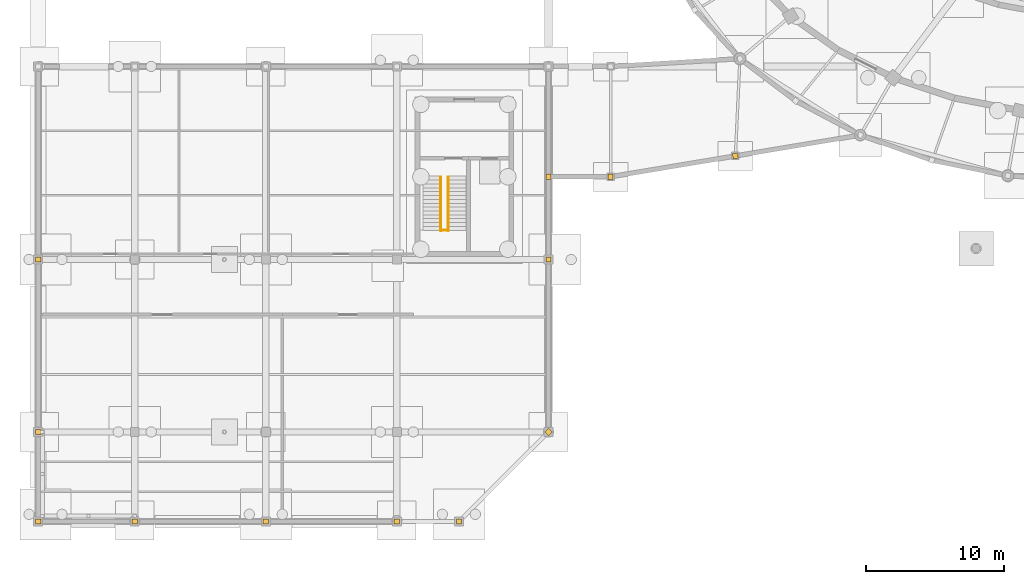
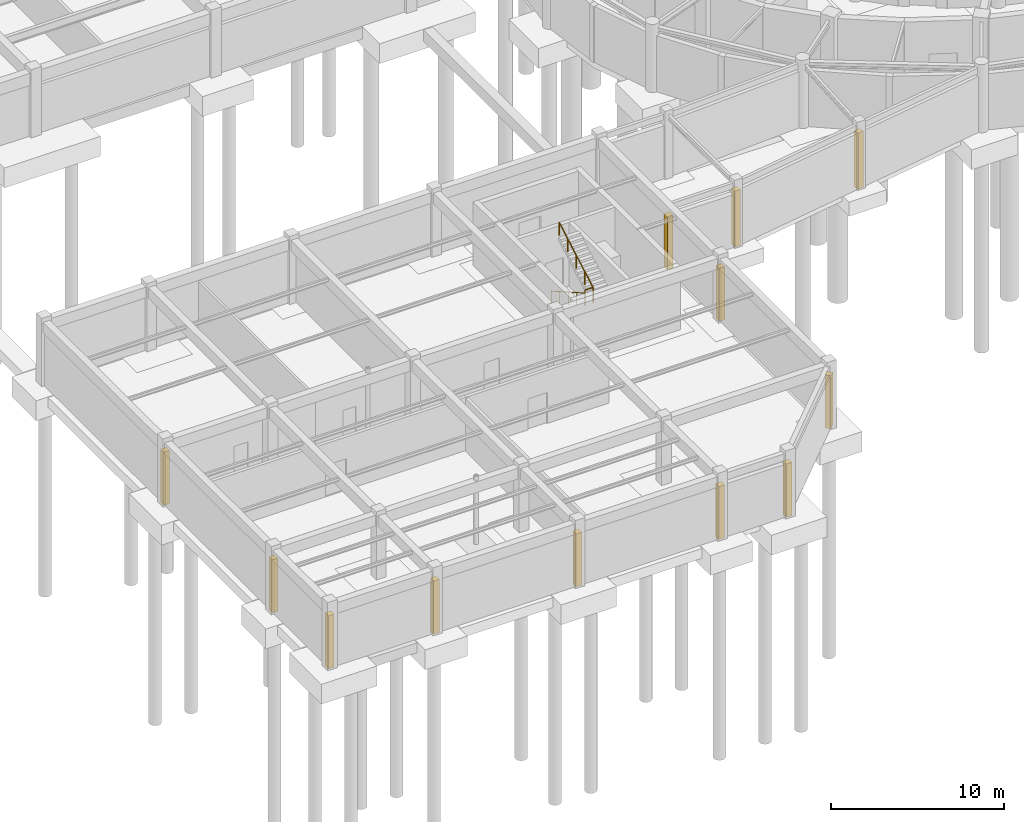
# One storey, part 33 of 42: 12 coverings, 3 railings.
"""IFC4 building model written with IfcOpenShell, lengths in metres."""

import ifcopenshell
import ifcopenshell.guid

model = None  # the IFC model being written
_history = None  # IfcOwnerHistory: only IFC2X3 demands one
_inside = {}  # id of a spatial element -> (the spatial element, [elements in it])
_under = {}  # id of a project, library or spatial element -> (it, [spatial elements below it])
_declared = {}  # id of a project -> (the project, [libraries it declares])
_typed = {}  # id of a type object -> (the type object, [elements of that type])
_made_of = {}  # id of a material, layer set ... -> (it, [elements and type objects made of it])


def new_model(schema):
    """Start an empty IFC model of exactly this schema.

    Asked for "IFC4X3", IfcOpenShell would pick the latest addendum, in which some entities
    have other attributes; the version numbers below select the first issue.
    IFC2X3 requires an IfcOwnerHistory on every rooted entity: one is made here for all.
    """
    global model, _history
    if schema == "IFC4X3":
        model = ifcopenshell.file(schema_version=(4, 3, 0, 0))
    else:
        model = ifcopenshell.file(schema=schema)
    _inside.clear()
    _under.clear()
    _declared.clear()
    _typed.clear()
    _made_of.clear()
    _history = None
    if model.schema == "IFC2X3":
        org = make("IfcOrganization", Name="unknown")
        user = make(
            "IfcPersonAndOrganization",
            ThePerson=make("IfcPerson", FamilyName="unknown"),
            TheOrganization=org,
        )
        app = make(
            "IfcApplication",
            ApplicationDeveloper=org,
            Version="unknown",
            ApplicationFullName="unknown",
            ApplicationIdentifier="unknown",
        )
        _history = make(
            "IfcOwnerHistory",
            OwningUser=user,
            OwningApplication=app,
            ChangeAction="ADDED",
            CreationDate=0,
        )
    return model


def make(cls, **values):
    """One entity of the class cls with the attributes given. An attribute that is None is left unset."""
    return model.create_entity(
        cls, **{name: value for name, value in values.items() if value is not None}
    )


def rooted(cls, **values):
    """An entity with a GlobalId (a new one), such as an element, a storey or a relation."""
    return make(cls, GlobalId=ifcopenshell.guid.new(), OwnerHistory=_history, **values)


def si_unit(unit_type, name, prefix=None):
    """IfcSIUnit, for example si_unit("LENGTHUNIT", "METRE", prefix="MILLI")."""
    return make("IfcSIUnit", UnitType=unit_type, Prefix=prefix, Name=name)


def assignment(units):
    """IfcUnitAssignment: the units of a project."""
    return None if units is None else make("IfcUnitAssignment", Units=units)


def point(xyz):
    """IfcCartesianPoint."""
    return None if xyz is None else make("IfcCartesianPoint", Coordinates=xyz)


def direction(xyz):
    """IfcDirection."""
    return None if xyz is None else make("IfcDirection", DirectionRatios=xyz)


def frame(location, z_axis=None, x_axis=None):
    """IfcAxis2Placement3D, a coordinate frame: its origin and axes. An axis left out is left unset."""
    return make(
        "IfcAxis2Placement3D",
        Location=point(location),
        Axis=direction(z_axis),
        RefDirection=direction(x_axis),
    )


def frame_2d(location, x_axis=None):
    """IfcAxis2Placement2D, a coordinate frame in the plane: its origin and x axis."""
    return make(
        "IfcAxis2Placement2D", Location=point(location), RefDirection=direction(x_axis)
    )


def origin():
    """The frame at (0, 0, 0) with its axes left unset."""
    return frame((0.0, 0.0, 0.0))


def origin_2d():
    """The frame at (0, 0) in the plane with its x axis left unset."""
    return frame_2d((0.0, 0.0))


def place(relative_to, where):
    """IfcLocalPlacement: puts the frame where relative to a parent placement (None: the world)."""
    return make(
        "IfcLocalPlacement", PlacementRelTo=relative_to, RelativePlacement=where
    )


def context(
    kind, dimensions, precision=None, world=None, true_north=None, identifier=None
):
    """IfcGeometricRepresentationContext, for example the 3D "Model" context."""
    return make(
        "IfcGeometricRepresentationContext",
        ContextIdentifier=identifier,
        ContextType=kind,
        CoordinateSpaceDimension=dimensions,
        Precision=precision,
        WorldCoordinateSystem=world,
        TrueNorth=true_north,
    )


def subcontext(parent, identifier, kind, view, scale=None):
    """IfcGeometricRepresentationSubContext, for example "Body" below "Model"."""
    return make(
        "IfcGeometricRepresentationSubContext",
        ContextIdentifier=identifier,
        ContextType=kind,
        ParentContext=parent,
        TargetScale=scale,
        TargetView=view,
    )


def project(units=None, contexts=None):
    """IfcProject with its units and contexts."""
    return rooted(
        "IfcProject",
        Name="project",
        RepresentationContexts=contexts,
        UnitsInContext=assignment(units),
    )


def spatial(cls, under=None, at=None, **own):
    """A site, building, storey or space (cls), placed at a placement, below another one or the project."""
    s = rooted(cls, ObjectPlacement=at, **own)
    if under is not None:
        _under.setdefault(under.id(), (under, []))[1].append(s)
    return s


def profile(cls, at=None, kind="AREA", **sizes):
    """A parametric profile (cls). Its sizes go by their IFC names, for example OverallWidth=200.0."""
    return make(cls, ProfileType=kind, Position=at, **sizes)


def rectangle(**sizes):
    """IfcRectangleProfileDef."""
    return profile("IfcRectangleProfileDef", **sizes)


def circle(**sizes):
    """IfcCircleProfileDef."""
    return profile("IfcCircleProfileDef", **sizes)


def extrude(swept, where, along, depth):
    """IfcExtrudedAreaSolid: the profile swept, set in the frame where, extruded along a direction by depth."""
    return make(
        "IfcExtrudedAreaSolid",
        SweptArea=swept,
        Position=where,
        ExtrudedDirection=direction(along),
        Depth=depth,
    )


def shape(context_of_items, identifier, shape_type, items):
    """IfcShapeRepresentation: the items that make up one representation, for example the "Body"."""
    return make(
        "IfcShapeRepresentation",
        ContextOfItems=context_of_items,
        RepresentationIdentifier=identifier,
        RepresentationType=shape_type,
        Items=items,
    )


def material(Name=None, Category=None):
    """IfcMaterial."""
    return make("IfcMaterial", Name=Name, Category=Category)


def layer(
    of_material, thickness, ventilated=None, Name=None, Category=None, Priority=None
):
    """IfcMaterialLayer: one layer of a wall or slab, of a material (None: an air gap)."""
    return make(
        "IfcMaterialLayer",
        Material=of_material,
        LayerThickness=thickness,
        IsVentilated=ventilated,
        Name=Name,
        Category=Category,
        Priority=Priority,
    )


def layer_set(layers, Name=None):
    """IfcMaterialLayerSet."""
    return make("IfcMaterialLayerSet", MaterialLayers=layers, LayerSetName=Name)


def made_of(thing, what):
    """Note that an element or type object is made of a material, layer set ...; save() writes the relation."""
    if what is not None:
        _made_of.setdefault(what.id(), (what, []))[1].append(thing)
    return thing


def type_object(cls, material=None, **own):
    """A type object (cls), such as IfcWallType, which elements share."""
    return made_of(rooted(cls, **own), material)


def element(
    cls,
    number,
    at=None,
    inside=None,
    cuts=None,
    type_object=None,
    material=None,
    context=None,
    identifier="Body",
    shape_type=None,
    held_by="IfcProductDefinitionShape",
    body=None,
    shapes=None,
    **own,
):
    """One element of the class cls, such as IfcWall. Its Tag is "e" and its number.

    at: its placement. inside: the storey or other place that contains it. cuts: it is an
    opening in that element (IfcRelVoidsElement). A single representation is given by context,
    identifier, shape_type and body (its items); several are given by shapes. held_by: the class
    of the entity that holds the representations. save() writes the other relations.
    """
    e = rooted(cls, Tag="e%d" % number, ObjectPlacement=at, **own)
    if body is not None:
        shapes = [shape(context, identifier, shape_type, body)]
    if shapes is not None:
        e.Representation = make(held_by, Representations=shapes)
    if inside is not None:
        _inside.setdefault(inside.id(), (inside, []))[1].append(e)
    if cuts is not None:
        rooted(
            "IfcRelVoidsElement", RelatingBuildingElement=cuts, RelatedOpeningElement=e
        )
    if type_object is not None:
        _typed.setdefault(type_object.id(), (type_object, []))[1].append(e)
    return made_of(e, material)


def aggregate(whole, parts):
    """IfcRelAggregates: a whole, such as a stair, and the parts it consists of."""
    return rooted("IfcRelAggregates", RelatingObject=whole, RelatedObjects=parts)


def save(model, path):
    """Write the relations noted so far, then the file.

    IfcRelAggregates (storeys below a building ...), IfcRelContainedInSpatialStructure (elements
    in a storey), IfcRelDefinesByType, IfcRelAssociatesMaterial and IfcRelDeclares: one each for
    every whole, place, type object, material and project.
    """
    for whole, parts in _under.values():
        aggregate(whole, parts)
    for where, things in _inside.values():
        rooted(
            "IfcRelContainedInSpatialStructure",
            RelatedElements=things,
            RelatingStructure=where,
        )
    for kind, things in _typed.values():
        rooted("IfcRelDefinesByType", RelatedObjects=things, RelatingType=kind)
    for what, things in _made_of.values():
        rooted("IfcRelAssociatesMaterial", RelatedObjects=things, RelatingMaterial=what)
    for by, libraries in _declared.values():
        rooted("IfcRelDeclares", RelatingContext=by, RelatedDefinitions=libraries)
    model.write(path)


model = new_model("IFC4")

# Units and contexts
model_context = context("Model", 3, precision=1e-05, world=origin(), true_north=direction((0.0, 1.0)))
body_context = subcontext(model_context, "Body", "Model", "MODEL_VIEW")
ifc_project = project(units=[si_unit("LENGTHUNIT", "METRE"), si_unit("AREAUNIT", "SQUARE_METRE"), si_unit("VOLUMEUNIT", "CUBIC_METRE"), si_unit("PLANEANGLEUNIT", "RADIAN"), si_unit("MASSUNIT", "GRAM", prefix="KILO")], contexts=[model_context])

# Site, building, storey
site_placement = place(None, origin())
site = spatial("IfcSite", under=ifc_project, at=site_placement, CompositionType="ELEMENT")
building_placement = place(site_placement, origin())
building = spatial("IfcBuilding", under=site, at=building_placement, Name="Tarnveldt Headland Concert Hall", CompositionType="ELEMENT")
storey_placement = place(building_placement, frame((0.0, 0.0, -4.800048828125)))
storey = spatial("IfcBuildingStorey", under=building, at=storey_placement, Name="B1", CompositionType="ELEMENT", Elevation=-4.800048828125)

# Coverings
ifc_material_1 = material(Name="Coral-toned precast concrete C40/50", Category="concrete")
ifc_layer_1 = layer(ifc_material_1, 0.360107421875, Name="Coral-toned precast concrete C40/50", Category="concrete")
ifc_layer_set_1 = layer_set([ifc_layer_1], Name="Coral-toned precast concrete C40/50")
covering_type = type_object("IfcCoveringType", Name="CV-JNT360", PredefinedType="CLADDING", material=ifc_layer_set_1)
for number, where, z_axis, x_axis, name in (
    (1, (7.5, 5.0, 0.0), (0.0, 0.0, 1.0), (-1.0, 0.0, 0.0), "Precast facade joint closure pilaster B1-1"),
    (2, (7.5, 11.5, 0.0), (0.0, 0.0, 1.0), (0.0, 1.0, 0.0), "Precast facade joint closure pilaster B1-2"),
    (3, (7.5, 24.0, 0.0), (0.0, 0.0, 1.0), (0.0, 1.0, 0.0), "Precast facade joint closure pilaster B1-3"),
    (4, (14.5, 5.0, 0.0), (0.0, 0.0, 1.0), (-1.0, 0.0, 0.0), "Precast facade joint closure pilaster B1-9"),
    (5, (24.0, 5.0, 0.0), (0.0, 0.0, 1.0), (-1.0, 0.0, 0.0), "Precast facade joint closure pilaster B1-15"),
    (6, (33.5, 5.0, 0.0), (0.0, 0.0, 1.0), (-1.0, 0.0, 0.0), "Precast facade joint closure pilaster B1-19"),
    (7, (38.0, 5.0, 0.0), (0.0, 0.0, 1.0), (-1.0, 0.0, 0.0), "Precast facade joint closure pilaster B1-21"),
    (8, (44.5, 11.5, 0.0), (0.0, 0.0, 1.0), (-0.707106781187, -0.707106781187, 0.0), "Precast facade joint closure pilaster B1-22"),
    (9, (44.5, 24.0, 0.0), (0.0, 0.0, 1.0), (0.0, -1.0, 0.0), "Precast facade joint closure pilaster B1-23"),
    (10, (44.5, 30.0, 0.0), (0.0, 0.0, 1.0), (0.0, -1.0, 0.0), "Precast facade joint closure pilaster B1-24"),
):
    element("IfcCovering", number, at=place(storey_placement, frame(where, z_axis=z_axis, x_axis=x_axis)), inside=storey, type_object=covering_type, Name=name, PredefinedType="CLADDING", context=body_context, shape_type="SweptSolid", body=[
        extrude(rectangle(XDim=0.3798828125, YDim=0.3798828125, at=origin_2d()), origin(), (0.0, 0.0, 1.0), 3.738037109375),
    ])
for number, where, z_axis, x_axis, name in (
    (11, (49.0, 30.0, 0.0), (0.0, 0.0, 1.0), (-1.0, 0.0, 0.0), "Precast facade joint closure pilaster B1-28"),
    (12, (58.050048828125, 31.51123046875, 0.0), (0.0, 0.0, 1.0), (-0.986343153931, -0.16470331719, 0.0), "Precast facade joint closure pilaster B1-44"),
):
    element("IfcCovering", number, at=place(storey_placement, frame(where, z_axis=z_axis, x_axis=x_axis)), inside=storey, type_object=covering_type, Name=name, PredefinedType="CLADDING", context=body_context, shape_type="SweptSolid", body=[
        extrude(rectangle(XDim=0.3798828125, YDim=0.3798828125, at=origin_2d()), origin(), (0.0, 0.0, 1.0), 3.949951171875),
    ])

# Railings
ifc_material_2 = material(Name="Marine stainless steel", Category="steel")
ifc_layer_2 = layer(ifc_material_2, 0.06005859375, Name="Marine stainless steel", Category="steel")
ifc_layer_set_2 = layer_set([ifc_layer_2], Name="Marine stainless steel")
railing_type_1 = type_object("IfcRailingType", Name="RL-GRD110", PredefinedType="GUARDRAIL", material=ifc_layer_set_2)
railing_1_placement = place(storey_placement, frame((36.68994140625, 26.1201171875, 2.400146484375)))
element("IfcRailing", 13, at=railing_1_placement, inside=storey, type_object=railing_type_1, Name="GUARD STR-C5-B1 half-landing well", PredefinedType="GUARDRAIL", context=body_context, shape_type="SweptSolid", body=[
    extrude(circle(Radius=0.02392578125, at=origin_2d()), frame((0.0, 0.0, 1.076171875), z_axis=(1.0, 0.0, 0.0), x_axis=(0.0, 1.0, 0.0)), (0.0, 0.0, 1.0), 0.5400390625),
    extrude(circle(Radius=0.02099609375, at=origin_2d()), origin(), (0.0, 0.0, 1.0), 1.052001953125),
    extrude(circle(Radius=0.02099609375, at=origin_2d()), frame((0.5400390625, 0.0, 0.0)), (0.0, 0.0, 1.0), 1.052001953125),
])
ifc_layer_3 = layer(ifc_material_2, 0.048095703125, Name="Marine stainless steel", Category="steel")
ifc_layer_set_3 = layer_set([ifc_layer_3], Name="Marine stainless steel")
railing_type_2 = type_object("IfcRailingType", Name="RL-HND092", PredefinedType="HANDRAIL", material=ifc_layer_set_3)
railing_2_placement = place(storey_placement, frame((36.68994140625, 30.0, 0.16015625)))
element("IfcRailing", 14, at=railing_2_placement, inside=storey, type_object=railing_type_2, Name="HANDRAIL STR-C5-B1 flight 1", PredefinedType="HANDRAIL", context=body_context, shape_type="SweptSolid", body=[
    extrude(circle(Radius=0.02392578125, at=origin_2d()), frame((0.0, 0.0, 0.89599609375), z_axis=(0.0, -0.868239814368, 0.496144761885), x_axis=(1.0, 0.0, 0.0)), (0.0, 0.0, 1.0), 4.514892578125),
    extrude(circle(Radius=0.02099609375, at=origin_2d()), origin(), (0.0, 0.0, 1.0), 0.871826171875),
    extrude(circle(Radius=0.02099609375, at=origin_2d()), frame((0.0, -0.97998046875, 0.56005859375)), (0.0, 0.0, 1.0), 0.871826171875),
    extrude(circle(Radius=0.02099609375, at=origin_2d()), frame((0.0, -1.9599609375, 1.1201171875)), (0.0, 0.0, 1.0), 0.871826171875),
    extrude(circle(Radius=0.02099609375, at=origin_2d()), frame((0.0, -2.93994140625, 1.679931640625)), (0.0, 0.0, 1.0), 0.871826171875),
    extrude(circle(Radius=0.02099609375, at=origin_2d()), frame((0.0, -3.919921875, 2.239990234375)), (0.0, 0.0, 1.0), 0.871826171875),
])
railing_3_placement = place(storey_placement, frame((37.22998046875, 26.080078125, 2.56005859375)))
element("IfcRailing", 15, at=railing_3_placement, inside=storey, type_object=railing_type_2, Name="HANDRAIL STR-C5-B1 flight 2", PredefinedType="HANDRAIL", context=body_context, shape_type="SweptSolid", body=[
    extrude(circle(Radius=0.02392578125, at=origin_2d()), frame((0.0, 0.0, 0.89599609375), z_axis=(0.0, 0.868239814368, 0.496144761885), x_axis=(-1.0, 0.0, 0.0)), (0.0, 0.0, 1.0), 4.514892578125),
    extrude(circle(Radius=0.02099609375, at=origin_2d()), origin(), (0.0, 0.0, 1.0), 0.871826171875),
    extrude(circle(Radius=0.02099609375, at=origin_2d()), frame((0.0, 0.97998046875, 0.56005859375)), (0.0, 0.0, 1.0), 0.871826171875),
    extrude(circle(Radius=0.02099609375, at=origin_2d()), frame((0.0, 1.9599609375, 1.1201171875)), (0.0, 0.0, 1.0), 0.871826171875),
    extrude(circle(Radius=0.02099609375, at=origin_2d()), frame((0.0, 2.93994140625, 1.679931640625)), (0.0, 0.0, 1.0), 0.871826171875),
    extrude(circle(Radius=0.02099609375, at=origin_2d()), frame((0.0, 3.919921875, 2.239990234375)), (0.0, 0.0, 1.0), 0.871826171875),
])

save(model, "model.ifc")
